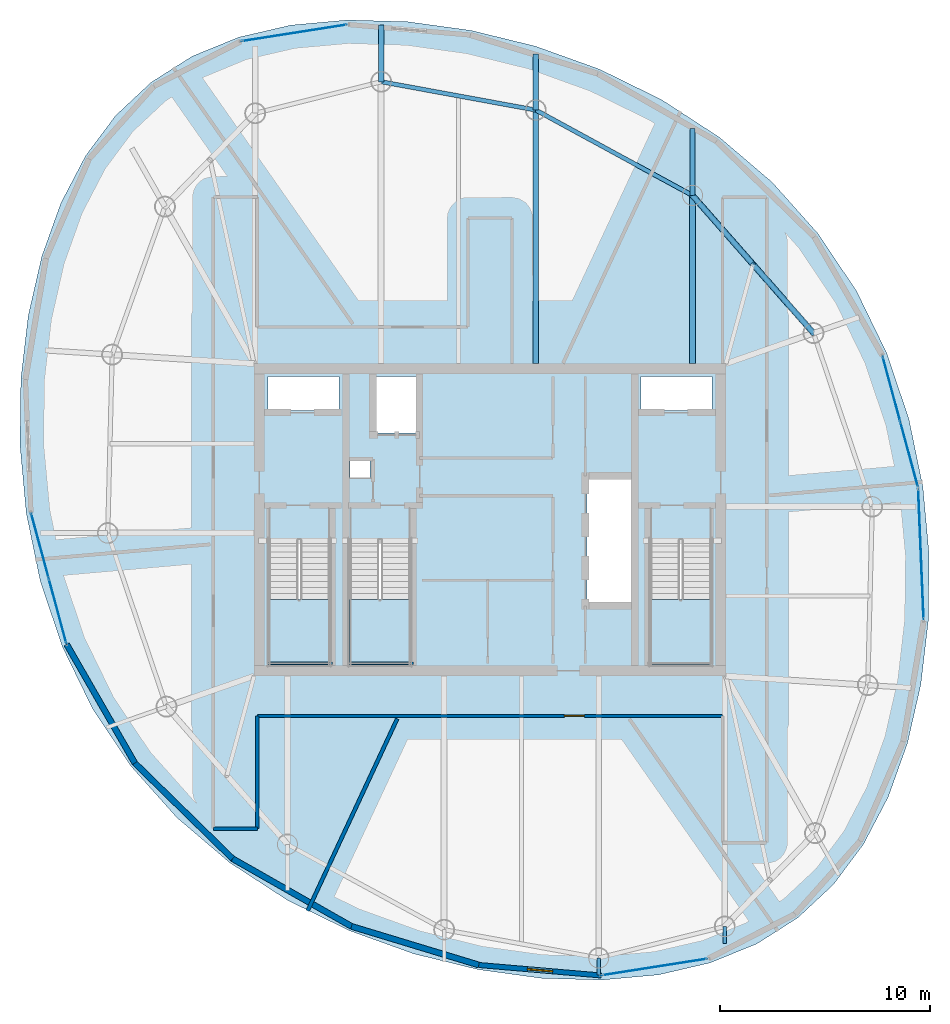
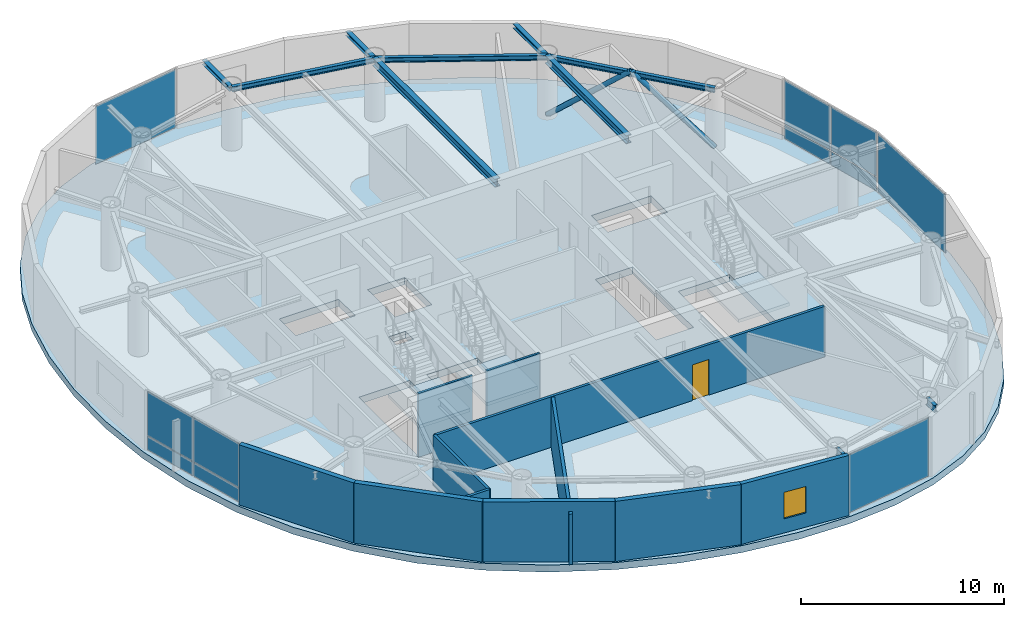
# One storey, part 13 of 20: 11 plates, 11 walls, 10 beams, 4 slabs, 2 members, 1 door, 1 window, 2 openings, 8 elements without a shape of their own.
"""IFC4 building model written with IfcOpenShell, lengths in metres."""

from ifc_helpers import new_model, si_unit, direction, frame, frame_2d, origin, origin_2d, place, context, subcontext, project, spatial, polyline, rectangle, hollow_circle, i_section, outline, extrude, material, layer, layer_set, material_profile, profile_set, type_object, element, fill, aggregate, save


model = new_model("IFC4")

# Units and contexts
model_context = context("Model", 3, precision=1e-05, world=origin(), true_north=direction((0.0, 1.0)))
body_context = subcontext(model_context, "Body", "Model", "MODEL_VIEW")
ifc_project = project(units=[si_unit("LENGTHUNIT", "METRE"), si_unit("AREAUNIT", "SQUARE_METRE"), si_unit("VOLUMEUNIT", "CUBIC_METRE"), si_unit("PLANEANGLEUNIT", "RADIAN"), si_unit("MASSUNIT", "GRAM", prefix="KILO")], contexts=[model_context])

# Site, building, storey
site_placement = place(None, origin())
site = spatial("IfcSite", under=ifc_project, at=site_placement, CompositionType="ELEMENT")
building_placement = place(site_placement, origin())
building = spatial("IfcBuilding", under=site, at=building_placement, Name="Bramvorn Convention Spire", CompositionType="ELEMENT")
storey_placement = place(building_placement, frame((0.0, 0.0, 242.050048828125)))
storey = spatial("IfcBuildingStorey", under=building, at=storey_placement, Name="L61", CompositionType="ELEMENT", Elevation=242.050048828125)

# Beams
ifc_material_1 = material(Name="Steel CSA G40.21 Grade 350 (350W)", Category="steel")
ifc_material_profile_1 = material_profile(ifc_material_1, i_section(OverallWidth=0.25390625, OverallDepth=0.2529296875, WebThickness=0.008544921875, FlangeThickness=0.01416015625, FilletRadius=0.011962890625, at=origin_2d()))
ifc_profile_set_1 = profile_set([ifc_material_profile_1], Name="Steel CSA G40.21 Grade 350 (350W) - W250X73")
beam_type_1 = type_object("IfcBeamType", Name="BM-W250X73", PredefinedType="BEAM", material=ifc_profile_set_1)
beam_1_placement = place(storey_placement, frame((47.662353515625, 41.476806640625, 3.45849609375), z_axis=(0.0, 1.0, 0.0), x_axis=(-1.0, 0.0, 0.0)))
element("IfcBeam", 1, at=beam_1_placement, inside=storey, type_object=beam_type_1, Name="L61 slab-edge cantilever tip beam MC06", PredefinedType="BEAM", context=body_context, shape_type="SweptSolid", body=[
    extrude(i_section(OverallWidth=0.25390625, OverallDepth=0.2529296875, WebThickness=0.008544921875, FlangeThickness=0.01416015625, FilletRadius=0.011962890625, at=origin_2d()), origin(), (0.0, 0.0, 1.0), 3.199951171875),
])
beam_2_placement = place(storey_placement, frame((40.1845703125, 45.55078125, 3.45849609375), z_axis=(0.0, 1.0, 0.0), x_axis=(-1.0, 0.0, 0.0)))
element("IfcBeam", 2, at=beam_2_placement, inside=storey, type_object=beam_type_1, Name="L61 slab-edge cantilever tip beam MC07", PredefinedType="BEAM", context=body_context, shape_type="SweptSolid", body=[
    extrude(i_section(OverallWidth=0.25390625, OverallDepth=0.2529296875, WebThickness=0.008544921875, FlangeThickness=0.01416015625, FilletRadius=0.011962890625, at=origin_2d()), origin(), (0.0, 0.0, 1.0), 2.6669921875),
])
beam_3_placement = place(storey_placement, frame((32.8115234375, 46.90087890625, 3.45849609375), z_axis=(0.0, 1.0, 0.0), x_axis=(-1.0, 0.0, 0.0)))
element("IfcBeam", 3, at=beam_3_placement, inside=storey, type_object=beam_type_1, Name="L61 slab-edge cantilever tip beam MC08", PredefinedType="BEAM", context=body_context, shape_type="SweptSolid", body=[
    extrude(i_section(OverallWidth=0.25390625, OverallDepth=0.2529296875, WebThickness=0.008544921875, FlangeThickness=0.01416015625, FilletRadius=0.011962890625, at=origin_2d()), origin(), (0.0, 0.0, 1.0), 2.71240234375),
])
ifc_material_profile_2 = material_profile(ifc_material_1, i_section(OverallWidth=0.202880859375, OverallDepth=0.302978515625, WebThickness=0.007568359375, FlangeThickness=0.01318359375, FilletRadius=0.013916015625, at=origin_2d()))
ifc_profile_set_2 = profile_set([ifc_material_profile_2], Name="Steel CSA G40.21 Grade 350 (350W) - W310X60")
beam_type_2 = type_object("IfcBeamType", Name="BM-W310X60", PredefinedType="JOIST", material=ifc_profile_set_2)
beam_4_placement = place(storey_placement, frame((53.4326171875, 34.909912109375, 3.473388671875), z_axis=(-0.660073062339, 0.751201405999, 0.0), x_axis=(-0.751201405999, -0.660073062339, 0.0)))
element("IfcBeam", 4, at=beam_4_placement, inside=storey, type_object=beam_type_2, Name="L61 mega-column ring beam 05", PredefinedType="JOIST", context=body_context, shape_type="SweptSolid", body=[
    extrude(i_section(OverallWidth=0.202880859375, OverallDepth=0.302978515625, WebThickness=0.007568359375, FlangeThickness=0.01318359375, FilletRadius=0.013916015625, at=origin_2d()), origin(), (0.0, 0.0, 1.0), 8.741943359375),
])
beam_5_placement = place(storey_placement, frame((47.662353515625, 41.476806640625, 3.473388671875), z_axis=(-0.878133224771, 0.478416178189, 0.0), x_axis=(-0.478416178189, -0.878133224771, 0.0)))
element("IfcBeam", 5, at=beam_5_placement, inside=storey, type_object=beam_type_2, Name="L61 mega-column ring beam 06", PredefinedType="JOIST", context=body_context, shape_type="SweptSolid", body=[
    extrude(i_section(OverallWidth=0.202880859375, OverallDepth=0.302978515625, WebThickness=0.007568359375, FlangeThickness=0.01318359375, FilletRadius=0.013916015625, at=origin_2d()), origin(), (0.0, 0.0, 1.0), 8.515625),
])
beam_6_placement = place(storey_placement, frame((40.1845703125, 45.55078125, 3.473388671875), z_axis=(-0.983645049461, 0.180117785547, 0.0), x_axis=(-0.180117785547, -0.983645049461, 0.0)))
element("IfcBeam", 6, at=beam_6_placement, inside=storey, type_object=beam_type_2, Name="L61 mega-column ring beam 07", PredefinedType="JOIST", context=body_context, shape_type="SweptSolid", body=[
    extrude(i_section(OverallWidth=0.202880859375, OverallDepth=0.302978515625, WebThickness=0.007568359375, FlangeThickness=0.01318359375, FilletRadius=0.013916015625, at=origin_2d()), origin(), (0.0, 0.0, 1.0), 7.49560546875),
])
ifc_material_profile_3 = material_profile(ifc_material_1, i_section(OverallWidth=0.180908203125, OverallDepth=0.4169921875, WebThickness=0.010986328125, FlangeThickness=0.018310546875, FilletRadius=0.01611328125, at=origin_2d()))
ifc_profile_set_3 = profile_set([ifc_material_profile_3], Name="Steel CSA G40.21 Grade 350 (350W) - W410X85")
beam_type_3 = type_object("IfcBeamType", Name="BM-W410X85", PredefinedType="JOIST", material=ifc_profile_set_3)
for number, where, z_axis, x_axis, name in (
    (7, (49.199951171875, 6.60107421875, 3.37646484375), (0.0, -1.0, 0.0), (1.0, 0.0, 0.0), "L61 Sky-Garden cantilever tip girder MC01"),
    (8, (43.1884765625, 5.09912109375, 3.37646484375), (0.0, -1.0, 0.0), (1.0, 0.0, 0.0), "L61 Sky-Garden cantilever tip girder MC16"),
):
    element("IfcBeam", number, at=place(storey_placement, frame(where, z_axis=z_axis, x_axis=x_axis)), inside=storey, type_object=beam_type_3, Name=name, PredefinedType="JOIST", context=body_context, shape_type="SweptSolid", body=[
        extrude(i_section(OverallWidth=0.180908203125, OverallDepth=0.4169921875, WebThickness=0.010986328125, FlangeThickness=0.018310546875, FilletRadius=0.01611328125, at=origin_2d()), origin(), (0.0, 0.0, 1.0), 0.800048828125),
    ])
ifc_material_profile_4 = material_profile(ifc_material_1, i_section(OverallWidth=0.283935546875, OverallDepth=0.47607421875, WebThickness=0.014892578125, FlangeThickness=0.02392578125, FilletRadius=0.01806640625, at=origin_2d()))
ifc_profile_set_4 = profile_set([ifc_material_profile_4], Name="Steel CSA G40.21 Grade 350 (350W) - W460X158")
beam_type_4 = type_object("IfcBeamType", Name="BM-W460X158", PredefinedType="SPANDREL", material=ifc_profile_set_4)
beam_7_placement = place(storey_placement, frame((47.662353515625, 33.449951171875, 3.386962890625), z_axis=(0.0, 1.0, 0.0), x_axis=(-1.0, 0.0, 0.0)))
element("IfcBeam", 9, at=beam_7_placement, inside=storey, type_object=beam_type_4, Name="L61 radial floor girder MC06", PredefinedType="SPANDREL", context=body_context, shape_type="SweptSolid", body=[
    extrude(i_section(OverallWidth=0.283935546875, OverallDepth=0.47607421875, WebThickness=0.014892578125, FlangeThickness=0.02392578125, FilletRadius=0.01806640625, at=origin_2d()), origin(), (0.0, 0.0, 1.0), 8.02685546875),
])
beam_8_placement = place(storey_placement, frame((40.1845703125, 33.449951171875, 3.386962890625), z_axis=(0.0, 1.0, 0.0), x_axis=(-1.0, 0.0, 0.0)))
element("IfcBeam", 10, at=beam_8_placement, inside=storey, type_object=beam_type_4, Name="L61 radial floor girder MC07", PredefinedType="SPANDREL", context=body_context, shape_type="SweptSolid", body=[
    extrude(i_section(OverallWidth=0.283935546875, OverallDepth=0.47607421875, WebThickness=0.014892578125, FlangeThickness=0.02392578125, FilletRadius=0.01806640625, at=origin_2d()), origin(), (0.0, 0.0, 1.0), 12.100830078125),
])

# Members
ifc_material_profile_5 = material_profile(ifc_material_1, hollow_circle(Radius=0.136474609375, WallThickness=0.0126953125, at=origin_2d()))
ifc_profile_set_5 = profile_set([ifc_material_profile_5], Name="Steel CSA G40.21 Grade 350 (350W) - CHS273X13")
member_type = type_object("IfcMemberType", Name="MBR-CHS273X13", PredefinedType="BRACE", material=ifc_profile_set_5)
for number, where, z_axis, x_axis, name in (
    (11, (53.4326171875, 34.909912109375, 0.0), (-0.508061812102, 0.578228256829, 0.63837706576), (-0.751215254017, -0.660057302158, 0.0), "L61 perimeter Gothic lancet brace 5A"),
    (12, (47.662353515625, 41.476806640625, 0.0), (0.50809370726, -0.578215626074, 0.63836312112), (0.751187558161, 0.660088821648, 0.0), "L61 perimeter Gothic lancet brace 5B"),
):
    element("IfcMember", number, at=place(storey_placement, frame(where, z_axis=z_axis, x_axis=x_axis)), inside=storey, type_object=member_type, Name=name, PredefinedType="BRACE", context=body_context, shape_type="SweptSolid", body=[
        extrude(hollow_circle(Radius=0.136474609375, WallThickness=0.0126953125, at=origin_2d()), origin(), (0.0, 0.0, 1.0), 5.678466796875),
    ])

# Curtain wall, plate
ifc_material_2 = material(Name="Anodised Bronze Unitised Curtain Wall", Category="aluminium")
ifc_layer_1 = layer(ifc_material_2, 0.179931640625)
ifc_layer_set_1 = layer_set([ifc_layer_1], Name="Anodised Bronze Unitised Curtain Wall - CW-OFF-FRIT")
curtain_wall_type = type_object("IfcCurtainWallType", Name="CW-OFF-FRIT", PredefinedType="USERDEFINED", material=ifc_layer_set_1)
curtain_wall_1_placement = place(storey_placement, origin())
curtain_wall_1 = element("IfcCurtainWall", 13, at=curtain_wall_1_placement, inside=storey, type_object=curtain_wall_type, Name="L61 fritted glass curtain wall 04", ObjectType="UNITISED CURTAIN WALL", PredefinedType="USERDEFINED")
ifc_material_3 = material(Name="Laminated Low-E Glass (Triple IGU High-VLT Low-Iron 22%)", Category="glass")
ifc_layer_2 = layer(ifc_material_3, 0.0419921875)
ifc_layer_set_2 = layer_set([ifc_layer_2], Name="Laminated Low-E Glass (Triple IGU High-VLT Low-Iron 22%) - PNL-IGU-4")
plate_type = type_object("IfcPlateType", Name="PNL-IGU-4", PredefinedType="CURTAIN_PANEL", material=ifc_layer_set_2)
plate_1_placement = place(storey_placement, frame((58.559814453125, 24.368896484375, 0.06005859375), z_axis=(0.0, 0.0, 1.0), x_axis=(0.041369645144, -0.999143909785, 0.0)))
plate_1 = element("IfcPlate", 14, at=plate_1_placement, type_object=plate_type, Name="CW3 panel 1.1", PredefinedType="CURTAIN_PANEL", context=body_context, shape_type="SweptSolid", body=[
    extrude(rectangle(XDim=6.225341796875, YDim=0.028076171875, at=origin_2d()), origin(), (0.0, 0.0, 1.0), 3.5048828125),
])
aggregate(curtain_wall_1, [plate_1])

# Curtain wall, plates
curtain_wall_2_placement = place(storey_placement, origin())
curtain_wall_2 = element("IfcCurtainWall", 15, at=curtain_wall_2_placement, inside=storey, type_object=curtain_wall_type, Name="L61 fritted glass curtain wall 05", ObjectType="UNITISED CURTAIN WALL", PredefinedType="USERDEFINED")
plate_2_placement = place(storey_placement, frame((57.15380859375, 32.2490234375, 0.059814453125), z_axis=(0.0, 0.0, 1.0), x_axis=(0.261227801827, -0.965277180686, 0.0)))
plate_2 = element("IfcPlate", 16, at=plate_2_placement, type_object=plate_type, Name="CW3 panel 1.1", PredefinedType="CURTAIN_PANEL", context=body_context, shape_type="SweptSolid", body=[
    extrude(rectangle(XDim=3.173095703125, YDim=0.028076171875, at=origin_2d()), origin(), (0.0, 0.0, 1.0), 0.81005859375),
])
plate_3_placement = place(storey_placement, frame((57.15380859375, 32.2490234375, 0.93017578125), z_axis=(0.0, 0.0, 1.0), x_axis=(0.261227801827, -0.965277180686, 0.0)))
plate_3 = element("IfcPlate", 17, at=plate_3_placement, type_object=plate_type, Name="CW3 panel 1.2", PredefinedType="CURTAIN_PANEL", context=body_context, shape_type="SweptSolid", body=[
    extrude(rectangle(XDim=3.173095703125, YDim=0.028076171875, at=origin_2d()), origin(), (0.0, 0.0, 1.0), 2.635009765625),
])
plate_4_placement = place(storey_placement, frame((57.998291015625, 29.128173828125, 0.059814453125), z_axis=(0.0, 0.0, 1.0), x_axis=(0.261227801827, -0.965277180686, 0.0)))
plate_4 = element("IfcPlate", 18, at=plate_4_placement, type_object=plate_type, Name="CW3 panel 2.1", PredefinedType="CURTAIN_PANEL", context=body_context, shape_type="SweptSolid", body=[
    extrude(rectangle(XDim=3.173095703125, YDim=0.028076171875, at=origin_2d()), origin(), (0.0, 0.0, 1.0), 0.81005859375),
])
plate_5_placement = place(storey_placement, frame((57.998291015625, 29.128173828125, 0.93017578125), z_axis=(0.0, 0.0, 1.0), x_axis=(0.261227801827, -0.965277180686, 0.0)))
plate_5 = element("IfcPlate", 19, at=plate_5_placement, type_object=plate_type, Name="CW3 panel 2.2", PredefinedType="CURTAIN_PANEL", context=body_context, shape_type="SweptSolid", body=[
    extrude(rectangle(XDim=3.173095703125, YDim=0.028076171875, at=origin_2d()), origin(), (0.0, 0.0, 1.0), 2.635009765625),
])
aggregate(curtain_wall_2, [plate_2, plate_3, plate_4, plate_5])

# Curtain wall, plate
curtain_wall_3_placement = place(storey_placement, origin())
curtain_wall_3 = element("IfcCurtainWall", 20, at=curtain_wall_3_placement, inside=storey, type_object=curtain_wall_type, Name="L61 fritted glass curtain wall 11", ObjectType="UNITISED CURTAIN WALL", PredefinedType="USERDEFINED")
plate_6_placement = place(storey_placement, frame((28.66650390625, 49.22900390625, 0.06005859375), z_axis=(0.0, 0.0, 1.0), x_axis=(0.9878378394, 0.155487629891, 0.0)))
plate_6 = element("IfcPlate", 21, at=plate_6_placement, type_object=plate_type, Name="CW3 panel 1.1", PredefinedType="CURTAIN_PANEL", context=body_context, shape_type="SweptSolid", body=[
    extrude(rectangle(XDim=5.05908203125, YDim=0.028076171875, at=origin_2d()), origin(), (0.0, 0.0, 1.0), 3.5048828125),
])
aggregate(curtain_wall_3, [plate_6])

# Curtain wall, plates
curtain_wall_4_placement = place(storey_placement, origin())
curtain_wall_4 = element("IfcCurtainWall", 22, at=curtain_wall_4_placement, inside=storey, type_object=curtain_wall_type, Name="L61 fritted glass curtain wall 17", ObjectType="UNITISED CURTAIN WALL", PredefinedType="USERDEFINED")
plate_7_placement = place(storey_placement, frame((17.376708984375, 21.648681640625, 0.059814453125), z_axis=(0.0, 0.0, 1.0), x_axis=(-0.26120966073, 0.965282089931, 0.0)))
plate_7 = element("IfcPlate", 23, at=plate_7_placement, type_object=plate_type, Name="CW3 panel 1.1", PredefinedType="CURTAIN_PANEL", context=body_context, shape_type="SweptSolid", body=[
    extrude(rectangle(XDim=3.173095703125, YDim=0.028076171875, at=origin_2d()), origin(), (0.0, 0.0, 1.0), 0.81005859375),
])
plate_8_placement = place(storey_placement, frame((17.376708984375, 21.648681640625, 0.93017578125), z_axis=(0.0, 0.0, 1.0), x_axis=(-0.26120966073, 0.965282089931, 0.0)))
plate_8 = element("IfcPlate", 24, at=plate_8_placement, type_object=plate_type, Name="CW3 panel 1.2", PredefinedType="CURTAIN_PANEL", context=body_context, shape_type="SweptSolid", body=[
    extrude(rectangle(XDim=3.173095703125, YDim=0.028076171875, at=origin_2d()), origin(), (0.0, 0.0, 1.0), 2.635009765625),
])
plate_9_placement = place(storey_placement, frame((16.5322265625, 24.76953125, 0.059814453125), z_axis=(0.0, 0.0, 1.0), x_axis=(-0.26120966073, 0.965282089931, 0.0)))
plate_9 = element("IfcPlate", 25, at=plate_9_placement, type_object=plate_type, Name="CW3 panel 2.1", PredefinedType="CURTAIN_PANEL", context=body_context, shape_type="SweptSolid", body=[
    extrude(rectangle(XDim=3.173095703125, YDim=0.028076171875, at=origin_2d()), origin(), (0.0, 0.0, 1.0), 0.81005859375),
])
plate_10_placement = place(storey_placement, frame((16.5322265625, 24.76953125, 0.93017578125), z_axis=(0.0, 0.0, 1.0), x_axis=(-0.26120966073, 0.965282089931, 0.0)))
plate_10 = element("IfcPlate", 26, at=plate_10_placement, type_object=plate_type, Name="CW3 panel 2.2", PredefinedType="CURTAIN_PANEL", context=body_context, shape_type="SweptSolid", body=[
    extrude(rectangle(XDim=3.173095703125, YDim=0.028076171875, at=origin_2d()), origin(), (0.0, 0.0, 1.0), 2.635009765625),
])
aggregate(curtain_wall_4, [plate_7, plate_8, plate_9, plate_10])

# Curtain wall, plate
curtain_wall_5_placement = place(storey_placement, origin())
curtain_wall_5 = element("IfcCurtainWall", 27, at=curtain_wall_5_placement, inside=storey, type_object=curtain_wall_type, Name="L61 fritted glass curtain wall 23", ObjectType="UNITISED CURTAIN WALL", PredefinedType="USERDEFINED")
plate_11_placement = place(storey_placement, frame((45.8642578125, 4.668701171875, 0.06005859375), z_axis=(0.0, 0.0, 1.0), x_axis=(-0.987838306186, -0.155484664297, 0.0)))
plate_11 = element("IfcPlate", 28, at=plate_11_placement, type_object=plate_type, Name="CW3 panel 1.1", PredefinedType="CURTAIN_PANEL", context=body_context, shape_type="SweptSolid", body=[
    extrude(rectangle(XDim=5.059326171875, YDim=0.028076171875, at=origin_2d()), origin(), (0.0, 0.0, 1.0), 3.5048828125),
])
aggregate(curtain_wall_5, [plate_11])

# Stair, slab
ifc_material_4 = material(Name="Concrete C40/50 Precast Stair", Category="concrete")
stair_type = type_object("IfcStairType", Name="ST-TOWER-1550", PredefinedType="HALF_TURN_STAIR", material=ifc_material_4)
stair_1_placement = place(storey_placement, origin())
stair_1 = element("IfcStair", 29, at=stair_1_placement, inside=storey, type_object=stair_type, Name="L61 Protected Exit Stair ST1", PredefinedType="HALF_TURN_STAIR")
ifc_material_5 = material(Name="Concrete C40/50 Stair Landing", Category="concrete")
ifc_layer_3 = layer(ifc_material_5, 0.219970703125)
ifc_layer_set_3 = layer_set([ifc_layer_3], Name="Concrete C40/50 Stair Landing - SLB-STAIR-LANDING")
slab_type_1 = type_object("IfcSlabType", Name="SLB-STAIR-LANDING", PredefinedType="LANDING", material=ifc_layer_set_3)
slab_1_placement = place(storey_placement, frame((0.0, 0.0, 1.724853515625)))
slab_1 = element("IfcSlab", 30, at=slab_1_placement, type_object=slab_type_1, Name="ST1 landing 1", PredefinedType="LANDING", context=body_context, shape_type="SweptSolid", body=[
    extrude(outline(polyline([(27.449951171875, 22.199951171875), (27.449951171875, 19.10009765625), (30.35009765625, 19.10009765625), (30.35009765625, 22.199951171875), (27.449951171875, 22.199951171875)])), origin(), (0.0, 0.0, 1.0), 0.2001953125),
])
aggregate(stair_1, [slab_1])

stair_2_placement = place(storey_placement, origin())
stair_2 = element("IfcStair", 31, at=stair_2_placement, inside=storey, type_object=stair_type, Name="L61 Protected Exit Stair ST2", PredefinedType="HALF_TURN_STAIR")
slab_2_placement = place(storey_placement, frame((0.0, 0.0, 1.724853515625)))
slab_2 = element("IfcSlab", 32, at=slab_2_placement, type_object=slab_type_1, Name="ST2 landing 1", PredefinedType="LANDING", context=body_context, shape_type="SweptSolid", body=[
    extrude(outline(polyline([(45.64990234375, 22.199951171875), (45.64990234375, 19.10009765625), (48.550048828125, 19.10009765625), (48.550048828125, 22.199951171875), (45.64990234375, 22.199951171875)])), origin(), (0.0, 0.0, 1.0), 0.2001953125),
])
aggregate(stair_2, [slab_2])

stair_3_placement = place(storey_placement, origin())
stair_3 = element("IfcStair", 33, at=stair_3_placement, inside=storey, type_object=stair_type, Name="L61 Protected Exit Stair ST3", PredefinedType="HALF_TURN_STAIR")
slab_3_placement = place(storey_placement, frame((0.0, 0.0, 1.724853515625)))
slab_3 = element("IfcSlab", 34, at=slab_3_placement, type_object=slab_type_1, Name="ST3 landing 1", PredefinedType="LANDING", context=body_context, shape_type="SweptSolid", body=[
    extrude(outline(polyline([(31.300048828125, 22.199951171875), (31.300048828125, 19.10009765625), (34.199951171875, 19.10009765625), (34.199951171875, 22.199951171875), (31.300048828125, 22.199951171875)])), origin(), (0.0, 0.0, 1.0), 0.2001953125),
])
aggregate(stair_3, [slab_3])

# Slab
ifc_material_6 = material(Name="Concrete C60/70", Category="concrete")
ifc_layer_4 = layer(ifc_material_6, 0.419921875)
ifc_layer_set_4 = layer_set([ifc_layer_4], Name="Concrete C60/70 - SLB-TRF-420")
slab_type_2 = type_object("IfcSlabType", Name="SLB-TRF-420", PredefinedType="FLOOR", material=ifc_layer_set_4)
slab_4_placement = place(storey_placement, frame((0.0, 0.0, -0.420166015625)))
element("IfcSlab", 35, at=slab_4_placement, inside=storey, type_object=slab_type_2, Name="L61 tower floor slab", PredefinedType="FLOOR", context=body_context, shape_type="SweptSolid", body=[
    extrude(outline(polyline([(52.693115234375, 7.0234375), (54.3896484375, 8.609619140625), (55.824462890625, 10.533935546875), (56.999755859375, 12.783935546875), (57.913330078125, 15.335205078125), (58.555419921875, 18.1484375), (58.9091796875, 21.171142578125), (58.95068359375, 24.337646484375), (58.652587890625, 27.572998046875), (57.98828125, 30.7978515625), (56.938232421875, 33.932373046875), (55.493408203125, 36.902587890625), (53.6611328125, 39.643798828125), (51.466064453125, 42.104248046875), (48.9521484375, 44.24658203125), (46.180419921875, 46.048095703125), (43.224609375, 47.49853515625), (40.1669921875, 48.59716796875), (37.0908203125, 49.349853515625), (34.075927734375, 49.764404296875), (31.19140625, 49.846923828125), (28.492919921875, 49.601318359375), (26.02001953125, 49.02685546875), (23.7978515625, 48.119384765625), (21.83740234375, 46.874267578125), (20.14111328125, 45.2880859375), (18.706298828125, 43.36376953125), (17.531005859375, 41.11376953125), (16.617431640625, 38.5625), (15.97509765625, 35.7490234375), (15.621337890625, 32.7265625), (15.580078125, 29.56005859375), (15.878173828125, 26.32470703125), (16.542236328125, 23.099853515625), (17.59228515625, 19.965087890625), (19.037109375, 16.9951171875), (20.86962890625, 14.25390625), (23.064697265625, 11.79345703125), (25.57861328125, 9.651123046875), (28.350341796875, 7.849609375), (31.305908203125, 6.399169921875), (34.36376953125, 5.30029296875), (37.439697265625, 4.547607421875), (40.45458984375, 4.13330078125), (43.33935546875, 4.05078125), (46.037841796875, 4.29638671875), (48.510498046875, 4.870849609375), (50.73291015625, 5.7783203125), (52.693115234375, 7.0234375)]), holes=[polyline([(27.449951171875, 25.050048828125), (27.449951171875, 19.10009765625), (30.35009765625, 19.10009765625), (30.35009765625, 25.050048828125), (27.449951171875, 25.050048828125)]), polyline([(45.64990234375, 25.050048828125), (45.64990234375, 19.10009765625), (48.550048828125, 19.10009765625), (48.550048828125, 25.050048828125), (45.64990234375, 25.050048828125)]), polyline([(31.300048828125, 25.050048828125), (31.300048828125, 19.10009765625), (34.199951171875, 19.10009765625), (34.199951171875, 25.050048828125), (31.300048828125, 25.050048828125)]), polyline([(27.39990234375, 31.219970703125), (30.800048828125, 31.219970703125), (30.800048828125, 32.85009765625), (27.39990234375, 32.85009765625), (27.39990234375, 31.219970703125)]), polyline([(45.199951171875, 31.219970703125), (48.60009765625, 31.219970703125), (48.60009765625, 32.85009765625), (45.199951171875, 32.85009765625), (45.199951171875, 31.219970703125)]), polyline([(32.449951171875, 30.14990234375), (34.56005859375, 30.14990234375), (34.56005859375, 32.85009765625), (32.449951171875, 32.85009765625), (32.449951171875, 30.14990234375)]), polyline([(42.6201171875, 22.0), (44.75, 22.0), (44.75, 28.0), (42.6201171875, 28.0), (42.6201171875, 22.0)]), polyline([(31.320068359375, 28.02001953125), (32.280029296875, 28.02001953125), (32.280029296875, 28.820068359375), (31.320068359375, 28.820068359375), (31.320068359375, 28.02001953125)])]), origin(), (0.0, 0.0, 1.0), 0.420166015625),
])

# Walls
ifc_material_7 = material(Name="Precast Concrete C40/50 with Bronze Terracotta Rainscreen", Category="masonry")
ifc_layer_5 = layer(ifc_material_7, 0.300048828125)
ifc_layer_set_5 = layer_set([ifc_layer_5], Name="Precast Concrete C40/50 with Bronze Terracotta Rainscreen - WL-EXT-BRONZE-300")
wall_type_1 = type_object("IfcWallType", Name="WL-EXT-BRONZE-300", PredefinedType="SOLIDWALL", material=ifc_layer_set_5)
wall_1_placement = place(storey_placement, frame((21.0576171875, 14.3994140625, 0.0), z_axis=(0.0, 0.0, 1.0), x_axis=(-0.498043079681, 0.867152288114, 0.0)))
element("IfcWall", 36, at=wall_1_placement, inside=storey, type_object=wall_type_1, Name="L61 expressed bronze Gothic lancet pier wall 18", PredefinedType="SOLIDWALL", context=body_context, shape_type="SweptSolid", body=[
    extrude(rectangle(XDim=6.527099609375, YDim=0.280029296875, at=frame_2d((3.263671875, 0.0))), origin(), (0.0, 0.0, 1.0), 3.625),
])
wall_2_placement = place(storey_placement, frame((25.723388671875, 9.835205078125, 0.0), z_axis=(0.0, 0.0, 1.0), x_axis=(-0.714844187418, 0.699283767661, 0.0)))
element("IfcWall", 37, at=wall_2_placement, inside=storey, type_object=wall_type_1, Name="L61 expressed bronze Gothic lancet pier wall 19", PredefinedType="SOLIDWALL", context=body_context, shape_type="SweptSolid", body=[
    extrude(rectangle(XDim=6.52685546875, YDim=0.280029296875, at=frame_2d((3.263427734375, 0.0))), origin(), (0.0, 0.0, 1.0), 3.625),
])
wall_3_placement = place(storey_placement, frame((31.3955078125, 6.607421875, 0.0), z_axis=(0.0, 0.0, 1.0), x_axis=(-0.869128067122, 0.494587103492, 0.0)))
element("IfcWall", 38, at=wall_3_placement, inside=storey, type_object=wall_type_1, Name="L61 expressed bronze Gothic lancet pier wall 20", PredefinedType="SOLIDWALL", context=body_context, shape_type="SweptSolid", body=[
    extrude(rectangle(XDim=6.526123046875, YDim=0.280029296875, at=frame_2d((3.26318359375, 0.0))), origin(), (0.0, 0.0, 1.0), 3.625),
])
wall_4_placement = place(storey_placement, frame((37.467529296875, 4.76611328125, 0.0), z_axis=(0.0, 0.0, 1.0), x_axis=(-0.956967430601, 0.290195342431, 0.0)))
element("IfcWall", 39, at=wall_4_placement, inside=storey, type_object=wall_type_1, Name="L61 expressed bronze Gothic lancet pier wall 21", PredefinedType="SOLIDWALL", context=body_context, shape_type="SweptSolid", body=[
    extrude(rectangle(XDim=6.344970703125, YDim=0.280029296875, at=frame_2d((3.17236328125, 0.0))), origin(), (0.0, 0.0, 1.0), 3.625),
])

# Wall, opening, window
wall_5_placement = place(storey_placement, frame((43.30615234375, 4.26611328125, 0.0), z_axis=(0.0, 0.0, 1.0), x_axis=(-0.996353229665, 0.085324332609, 0.0)))
wall_5 = element("IfcWall", 40, at=wall_5_placement, inside=storey, type_object=wall_type_1, Name="L61 bronze ceramic-frit spandrel & operable window bay 22", PredefinedType="SOLIDWALL", context=body_context, shape_type="SweptSolid", body=[
    extrude(rectangle(XDim=5.860107421875, YDim=0.239990234375, at=frame_2d((2.93017578125, 0.0))), origin(), (0.0, 0.0, 1.0), 3.625),
])
opening_1_placement = place(wall_5_placement, frame((2.330078125, 0.0, 0.85009765625)))
opening_1 = element("IfcOpeningElement", 41, at=opening_1_placement, cuts=wall_5, Name="Opening WN01", PredefinedType="OPENING", context=body_context, shape_type="SweptSolid", body=[
    extrude(rectangle(XDim=1.199951171875, YDim=1.60009765625, at=frame_2d((0.60009765625, 0.800048828125))), frame((0.0, 0.1298828125, 0.0), z_axis=(0.0, -1.0, 0.0), x_axis=(1.0, 0.0, 0.0)), (0.0, 0.0, 1.0), 0.260009765625),
])
ifc_material_8 = material(Name="Thermally Broken Bronze Aluminium & Triple Low-E Glass", Category="aluminium")
window_type = type_object("IfcWindowType", Name="WN-OP-1200X1600", PartitioningType="SINGLE_PANEL", PredefinedType="WINDOW", material=ifc_material_8)
window_placement = place(opening_1_placement, origin())
window = element("IfcWindow", 42, at=window_placement, inside=storey, type_object=window_type, Name="L61 operable parallel-vent window 22", OverallHeight=1.60009765625, OverallWidth=1.199951171875, PartitioningType="SINGLE_PANEL", PredefinedType="WINDOW", context=body_context, shape_type="SweptSolid", body=[
    extrude(rectangle(XDim=1.199951171875, YDim=1.60009765625, at=frame_2d((0.60009765625, 0.800048828125))), frame((0.0, 0.030029296875, 0.0), z_axis=(0.0, -1.0, 0.0), x_axis=(1.0, 0.0, 0.0)), (0.0, 0.0, 1.0), 0.06005859375),
])
fill(opening_1, window)

# Wall, opening, door
ifc_material_9 = material(Name="Acoustic Metal-Stud Tenant/Corridor Partition", Category="gypsum")
ifc_layer_6 = layer(ifc_material_9, 0.14990234375)
ifc_layer_set_6 = layer_set([ifc_layer_6], Name="Acoustic Metal-Stud Tenant/Corridor Partition - WL-PART-150")
wall_type_2 = type_object("IfcWallType", Name="WL-PART-150", PredefinedType="PARTITIONING", material=ifc_layer_set_6)
wall_6_placement = place(storey_placement, frame((26.89990234375, 16.64990234375, 0.0), z_axis=(0.0, 0.0, 1.0), x_axis=(1.0, 0.0, 0.0)))
wall_6 = element("IfcWall", 43, at=wall_6_placement, inside=storey, type_object=wall_type_2, Name="L61 South H-crossbar wall", PredefinedType="PARTITIONING", context=body_context, shape_type="SweptSolid", body=[
    extrude(rectangle(XDim=22.2001953125, YDim=0.14990234375, at=frame_2d((11.10009765625, 0.0))), origin(), (0.0, 0.0, 1.0), 3.0400390625),
])
opening_2_placement = place(wall_6_placement, frame((14.64990234375, 0.0, 0.0)))
opening_2 = element("IfcOpeningElement", 44, at=opening_2_placement, cuts=wall_6, Name="Opening DH-095", PredefinedType="OPENING", context=body_context, shape_type="SweptSolid", body=[
    extrude(rectangle(XDim=0.949951171875, YDim=2.14990234375, at=frame_2d((0.47509765625, 1.074951171875))), frame((0.0, 0.0849609375, 0.0), z_axis=(0.0, -1.0, 0.0), x_axis=(1.0, 0.0, 0.0)), (0.0, 0.0, 1.0), 0.169921875),
])
ifc_material_10 = material(Name="Solid-Core Acoustic Guestroom Entry Door", Category="wood")
door_type = type_object("IfcDoorType", Name="DR-HOTEL-950", OperationType="NOTDEFINED", PredefinedType="DOOR", material=ifc_material_10)
door_placement = place(opening_2_placement, origin())
door = element("IfcDoor", 45, at=door_placement, inside=storey, type_object=door_type, Name="L61 Client Meeting Boardroom 5 door", OperationType="SINGLE_SWING_RIGHT", OverallHeight=2.14990234375, OverallWidth=0.949951171875, PredefinedType="DOOR", context=body_context, shape_type="SweptSolid", body=[
    extrude(rectangle(XDim=0.949951171875, YDim=2.14990234375, at=frame_2d((0.47509765625, 1.074951171875))), frame((0.0, 0.02490234375, 0.0), z_axis=(0.0, -1.0, 0.0), x_axis=(1.0, 0.0, 0.0)), (0.0, 0.0, 1.0), 0.050048828125),
])
fill(opening_2, door)

# Walls
wall_7_placement = place(storey_placement, frame((26.89990234375, 11.267578125, 0.0), z_axis=(0.0, 0.0, 1.0), x_axis=(0.0, 1.0, 0.0)))
element("IfcWall", 46, at=wall_7_placement, inside=storey, type_object=wall_type_2, Name="L61 West gallery SE wall", PredefinedType="PARTITIONING", context=body_context, shape_type="SweptSolid", body=[
    extrude(rectangle(XDim=5.38232421875, YDim=0.14990234375, at=frame_2d((2.691162109375, 0.0))), origin(), (0.0, 0.0, 1.0), 3.0400390625),
])
wall_8_placement = place(storey_placement, frame((24.800048828125, 11.267578125, 0.0), z_axis=(0.0, 0.0, 1.0), x_axis=(1.0, 0.0, 0.0)))
element("IfcWall", 47, at=wall_8_placement, inside=storey, type_object=wall_type_2, Name="L61 West gallery south end", PredefinedType="PARTITIONING", context=body_context, shape_type="SweptSolid", body=[
    extrude(rectangle(XDim=2.099853515625, YDim=0.14990234375, at=frame_2d((1.0498046875, 0.0))), origin(), (0.0, 0.0, 1.0), 3.0400390625),
])
ifc_material_11 = material(Name="Double-Stud Acoustic Hotel/Suite Partition", Category="gypsum")
ifc_layer_7 = layer(ifc_material_11, 0.175048828125)
ifc_layer_set_7 = layer_set([ifc_layer_7], Name="Double-Stud Acoustic Hotel/Suite Partition - WL-PART-175")
wall_type_3 = type_object("IfcWallType", Name="WL-PART-175", PredefinedType="PARTITIONING", material=ifc_layer_set_7)
wall_9_placement = place(storey_placement, frame((33.57470703125, 16.510009765625, 0.0), z_axis=(0.0, 0.0, 1.0), x_axis=(-0.422617069522, -0.906308342976, 0.0)))
element("IfcWall", 48, at=wall_9_placement, inside=storey, type_object=wall_type_3, Name="L61 Tenant suite partition 5", PredefinedType="PARTITIONING", context=body_context, shape_type="SweptSolid", body=[
    extrude(rectangle(XDim=10.109619140625, YDim=0.175048828125, at=frame_2d((5.0546875, 0.0))), origin(), (0.0, 0.0, 1.0), 3.0400390625),
])
ifc_material_12 = material(Name="Concrete C50/60", Category="concrete")
ifc_layer_8 = layer(ifc_material_12, 0.1201171875)
ifc_layer_set_8 = layer_set([ifc_layer_8], Name="Concrete C50/60 - WL-STAIR-RC-120")
wall_type_4 = type_object("IfcWallType", Name="WL-STAIR-RC-120", PredefinedType="SHEAR", material=ifc_layer_set_8)
wall_10_placement = place(storey_placement, frame((27.39501953125, 19.159912109375, 0.0), z_axis=(0.0, 0.0, 1.0), x_axis=(1.0, 0.0, 0.0)))
element("IfcWall", 49, at=wall_10_placement, inside=storey, type_object=wall_type_4, Name="L61 ST1 south bearing shear wall", PredefinedType="SHEAR", context=body_context, shape_type="SweptSolid", body=[
    extrude(rectangle(XDim=3.094970703125, YDim=0.1201171875, at=frame_2d((1.54736328125, 0.0))), origin(), (0.0, 0.0, 1.0), 3.849853515625),
])
wall_11_placement = place(storey_placement, frame((31.300048828125, 19.159912109375, 0.0), z_axis=(0.0, 0.0, 1.0), x_axis=(1.0, 0.0, 0.0)))
element("IfcWall", 50, at=wall_11_placement, inside=storey, type_object=wall_type_4, Name="L61 ST3 south bearing shear wall", PredefinedType="SHEAR", context=body_context, shape_type="SweptSolid", body=[
    extrude(rectangle(XDim=3.0400390625, YDim=0.1201171875, at=frame_2d((1.52001953125, 0.0))), origin(), (0.0, 0.0, 1.0), 3.849853515625),
])

save(model, "model.ifc")
